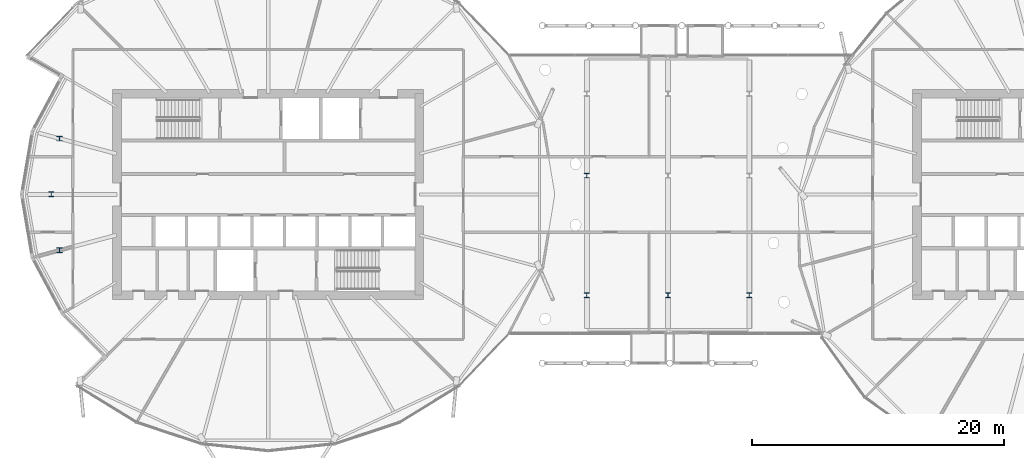
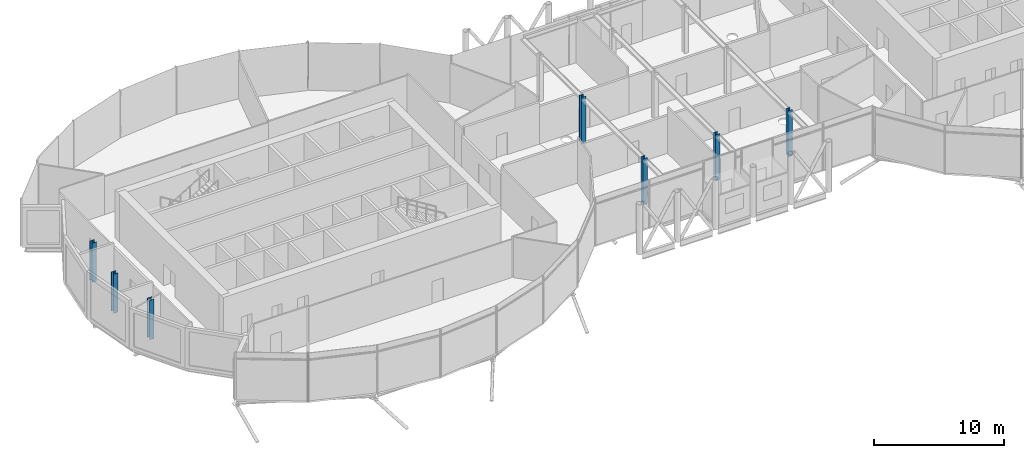
# One storey, part 1 of 36: 7 columns.
"""IFC4 building model written with IfcOpenShell, lengths in metres."""

from ifc_helpers import new_model, si_unit, direction, frame, origin, origin_2d, place, context, subcontext, project, spatial, i_section, extrude, material, material_profile, profile_set, type_object, element, save


model = new_model("IFC4")

# Units and contexts
model_context = context("Model", 3, precision=1e-05, world=origin(), true_north=direction((0.0, 1.0)))
body_context = subcontext(model_context, "Body", "Model", "MODEL_VIEW")
ifc_project = project(units=[si_unit("LENGTHUNIT", "METRE"), si_unit("AREAUNIT", "SQUARE_METRE"), si_unit("VOLUMEUNIT", "CUBIC_METRE"), si_unit("PLANEANGLEUNIT", "RADIAN"), si_unit("MASSUNIT", "GRAM", prefix="KILO")], contexts=[model_context])

# Site, building, storey
site_placement = place(None, origin())
site = spatial("IfcSite", under=ifc_project, at=site_placement, CompositionType="ELEMENT")
building_placement = place(site_placement, origin())
building = spatial("IfcBuilding", under=site, at=building_placement, Name="Rimbun Link Towers", CompositionType="ELEMENT")
storey_placement = place(building_placement, frame((0.0, 0.0, 154.39990234375)))
storey = spatial("IfcBuildingStorey", under=building, at=storey_placement, Name="L37", CompositionType="ELEMENT", Elevation=154.39990234375)

# Columns
ifc_material_1 = material(Name="Steel S355J2", Category="steel")
ifc_material_profile_1 = material_profile(ifc_material_1, i_section(OverallWidth=0.374755859375, OverallDepth=0.37451171875, WebThickness=0.0166015625, FlangeThickness=0.027099609375, at=origin_2d()), Name="UKC 356x368x202")
ifc_profile_set_1 = profile_set([ifc_material_profile_1], Name="Steel S355J2")
column_type_1 = type_object("IfcColumnType", Name="Link column UKC 356x368x202", PredefinedType="COLUMN", material=ifc_profile_set_1)
for number, where, z_axis, x_axis, name in (
    (1, (-6.449951171875, -8.0, 0.0), (0.0, 0.0, 1.0), (1.0, 0.0, 0.0), "Link column L37 1-1"),
    (2, (-6.449951171875, 1.5, 0.0), (0.0, 0.0, 1.0), (1.0, 0.0, 0.0), "Link column L37 2-1"),
    (3, (0.0, -8.0, 0.0), (0.0, 0.0, 1.0), (1.0, 0.0, 0.0), "Link column L37 1-2"),
    (4, (6.449951171875, -8.0, 0.0), (0.0, 0.0, 1.0), (1.0, 0.0, 0.0), "Link column L37 1-3"),
):
    element("IfcColumn", number, at=place(storey_placement, frame(where, z_axis=z_axis, x_axis=x_axis)), inside=storey, type_object=column_type_1, Name=name, PredefinedType="COLUMN", context=body_context, shape_type="SweptSolid", body=[
        extrude(i_section(OverallWidth=0.374755859375, OverallDepth=0.37451171875, WebThickness=0.0166015625, FlangeThickness=0.027099609375, at=origin_2d()), origin(), (0.0, 0.0, 1.0), 4.340087890625),
    ])
ifc_material_2 = material(Name="Steel S355J2", Category="steel")
ifc_material_profile_2 = material_profile(ifc_material_2, i_section(OverallWidth=0.39892578125, OverallDepth=0.3935546875, WebThickness=0.022705078125, FlangeThickness=0.03662109375, at=origin_2d()), Name="UC 356x406x287")
ifc_profile_set_2 = profile_set([ifc_material_profile_2], Name="Steel S355J2")
column_type_2 = type_object("IfcColumnType", Name="UC 356x406x287", PredefinedType="COLUMN", material=ifc_profile_set_2)
for number, where, z_axis, x_axis, name in (
    (5, (-48.318359375, 4.439453125, -0.179931640625), (0.0, 0.0, 1.0), (1.0, 0.0, 0.0), "Crease post T1 L37 11"),
    (6, (-48.964111328125, 0.0, -0.179931640625), (0.0, 0.0, 1.0), (1.0, 0.0, 0.0), "Crease post T1 L37 12"),
    (7, (-48.318359375, -4.439453125, -0.179931640625), (0.0, 0.0, 1.0), (1.0, 0.0, 0.0), "Crease post T1 L37 13"),
):
    element("IfcColumn", number, at=place(storey_placement, frame(where, z_axis=z_axis, x_axis=x_axis)), inside=storey, type_object=column_type_2, Name=name, PredefinedType="COLUMN", context=body_context, shape_type="SweptSolid", body=[
        extrude(i_section(OverallWidth=0.39892578125, OverallDepth=0.3935546875, WebThickness=0.022705078125, FlangeThickness=0.03662109375, at=origin_2d()), origin(), (0.0, 0.0, 1.0), 3.689208984375),
    ])

save(model, "model.ifc")
